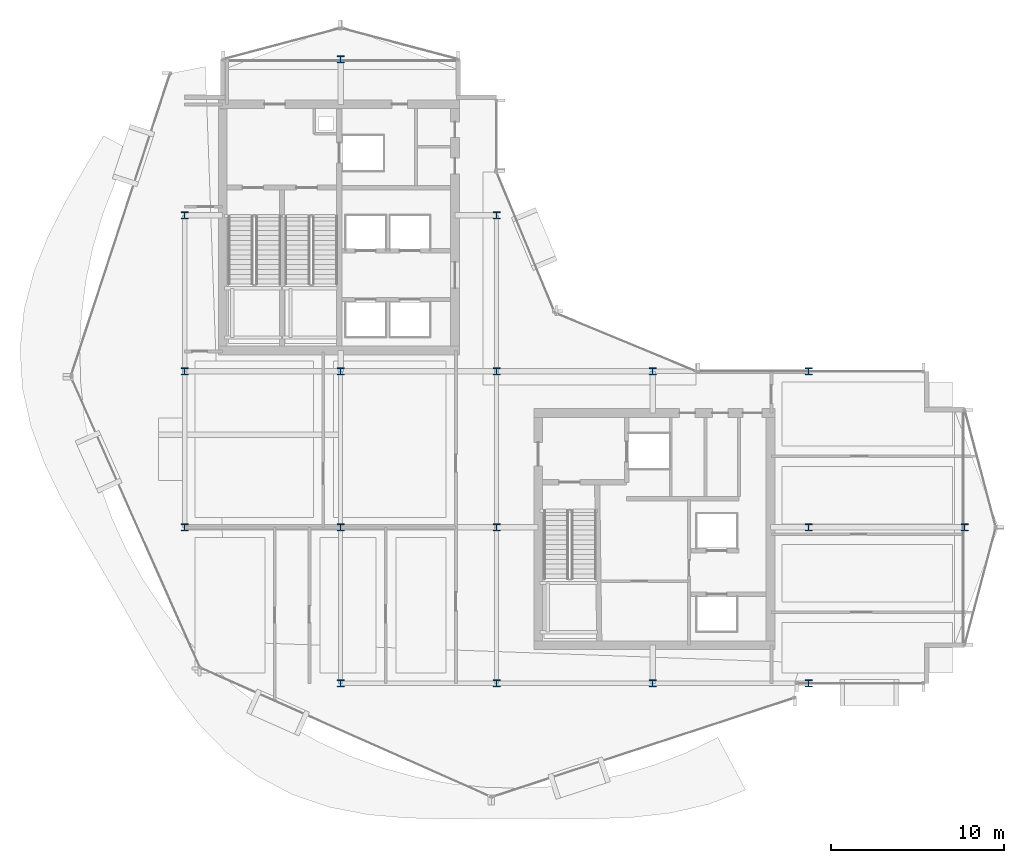
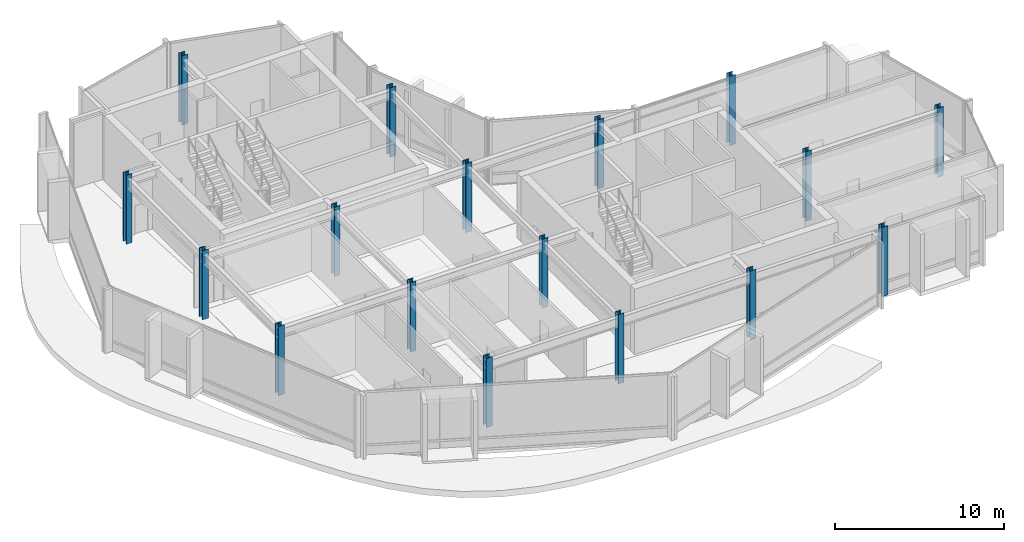
# One storey, part 1 of 28: 17 columns.
"""IFC4 building model written with IfcOpenShell, lengths in metres."""

from ifc_helpers import new_model, si_unit, direction, frame, origin, origin_2d, place, context, subcontext, project, spatial, i_section, extrude, material, material_profile, profile_set, type_object, element, save


model = new_model("IFC4")

# Units and contexts
model_context = context("Model", 3, precision=1e-05, world=origin(), true_north=direction((0.0, 1.0)))
body_context = subcontext(model_context, "Body", "Model", "MODEL_VIEW")
ifc_project = project(units=[si_unit("LENGTHUNIT", "METRE"), si_unit("AREAUNIT", "SQUARE_METRE"), si_unit("VOLUMEUNIT", "CUBIC_METRE"), si_unit("PLANEANGLEUNIT", "RADIAN"), si_unit("MASSUNIT", "GRAM", prefix="KILO")], contexts=[model_context])

# Site, building, storey
site_placement = place(None, origin())
site = spatial("IfcSite", under=ifc_project, at=site_placement, CompositionType="ELEMENT")
building_placement = place(site_placement, origin())
building = spatial("IfcBuilding", under=site, at=building_placement, Name="Solvaryn Broadcast Tower", CompositionType="ELEMENT")
storey_placement = place(building_placement, frame((0.0, 0.0, 201.199951171875)))
storey = spatial("IfcBuildingStorey", under=building, at=storey_placement, Name="L50", CompositionType="ELEMENT", Elevation=201.199951171875)

# Columns
ifc_material_1 = material(Name="Steel ASTM A913 Grade 65", Category="steel")
ifc_material_profile_1 = material_profile(ifc_material_1, i_section(OverallWidth=0.40087890625, OverallDepth=0.39892578125, WebThickness=0.02490234375, FlangeThickness=0.03955078125, FilletRadius=0.014892578125, at=origin_2d()))
ifc_profile_set_1 = profile_set([ifc_material_profile_1], Name="Steel ASTM A913 Grade 65")
column_type_1 = type_object("IfcColumnType", Name="COL-C08E-W14X211", PredefinedType="COLUMN", material=ifc_profile_set_1)
for number, where, z_axis, x_axis, name in (
    (1, (9.0, 18.0, 0.0), (0.0, 0.0, 1.0), (1.0, 0.0, 0.0), "L50 Column (9.0, 18.0)"),
    (2, (9.0, 27.0, 0.0), (0.0, 0.0, 1.0), (1.0, 0.0, 0.0), "L50 Column (9.0, 27.0)"),
    (3, (9.0, 36.0, 0.0), (0.0, 0.0, 1.0), (1.0, 0.0, 0.0), "L50 Column (9.0, 36.0)"),
    (4, (18.0, 9.0, 0.0), (0.0, 0.0, 1.0), (1.0, 0.0, 0.0), "L50 Column (18.0, 9.0)"),
    (5, (18.0, 45.0, 0.0), (0.0, 0.0, 1.0), (1.0, 0.0, 0.0), "L50 Column (18.0, 45.0)"),
    (6, (27.0, 9.0, 0.0), (0.0, 0.0, 1.0), (1.0, 0.0, 0.0), "L50 Column (27.0, 9.0)"),
    (7, (27.0, 36.0, 0.0), (0.0, 0.0, 1.0), (1.0, 0.0, 0.0), "L50 Column (27.0, 36.0)"),
    (8, (36.0, 9.0, 0.0), (0.0, 0.0, 1.0), (1.0, 0.0, 0.0), "L50 Column (36.0, 9.0)"),
    (9, (36.0, 27.0, 0.0), (0.0, 0.0, 1.0), (1.0, 0.0, 0.0), "L50 Column (36.0, 27.0)"),
    (10, (45.0, 9.0, 0.0), (0.0, 0.0, 1.0), (1.0, 0.0, 0.0), "L50 Column (45.0, 9.0)"),
    (11, (45.0, 27.0, 0.0), (0.0, 0.0, 1.0), (1.0, 0.0, 0.0), "L50 Column (45.0, 27.0)"),
    (12, (54.0, 18.0, 0.0), (0.0, 0.0, 1.0), (1.0, 0.0, 0.0), "L50 Column (54.0, 18.0)"),
):
    element("IfcColumn", number, at=place(storey_placement, frame(where, z_axis=z_axis, x_axis=x_axis)), inside=storey, type_object=column_type_1, Name=name, PredefinedType="COLUMN", context=body_context, shape_type="SweptSolid", body=[
        extrude(i_section(OverallWidth=0.40087890625, OverallDepth=0.39892578125, WebThickness=0.02490234375, FlangeThickness=0.03955078125, FilletRadius=0.014892578125, at=origin_2d()), origin(), (0.0, 0.0, 1.0), 5.0),
    ])
ifc_material_2 = material(Name="Steel ASTM A913 Grade 65", Category="steel")
ifc_material_profile_2 = material_profile(ifc_material_2, i_section(OverallWidth=0.40087890625, OverallDepth=0.39892578125, WebThickness=0.02490234375, FlangeThickness=0.03955078125, FilletRadius=0.014892578125, at=origin_2d()))
ifc_profile_set_2 = profile_set([ifc_material_profile_2], Name="Steel ASTM A913 Grade 65")
column_type_2 = type_object("IfcColumnType", Name="COL-C08I-W14X211", PredefinedType="COLUMN", material=ifc_profile_set_2)
for number, where, z_axis, x_axis, name in (
    (13, (18.0, 18.0, 0.0), (0.0, 0.0, 1.0), (1.0, 0.0, 0.0), "L50 Column (18.0, 18.0)"),
    (14, (18.0, 27.0, 0.0), (0.0, 0.0, 1.0), (1.0, 0.0, 0.0), "L50 Column (18.0, 27.0)"),
    (15, (27.0, 18.0, 0.0), (0.0, 0.0, 1.0), (1.0, 0.0, 0.0), "L50 Column (27.0, 18.0)"),
    (16, (27.0, 27.0, 0.0), (0.0, 0.0, 1.0), (1.0, 0.0, 0.0), "L50 Column (27.0, 27.0)"),
    (17, (45.0, 18.0, 0.0), (0.0, 0.0, 1.0), (1.0, 0.0, 0.0), "L50 Column (45.0, 18.0)"),
):
    element("IfcColumn", number, at=place(storey_placement, frame(where, z_axis=z_axis, x_axis=x_axis)), inside=storey, type_object=column_type_2, Name=name, PredefinedType="COLUMN", context=body_context, shape_type="SweptSolid", body=[
        extrude(i_section(OverallWidth=0.40087890625, OverallDepth=0.39892578125, WebThickness=0.02490234375, FlangeThickness=0.03955078125, FilletRadius=0.014892578125, at=origin_2d()), origin(), (0.0, 0.0, 1.0), 5.0),
    ])

save(model, "model.ifc")
